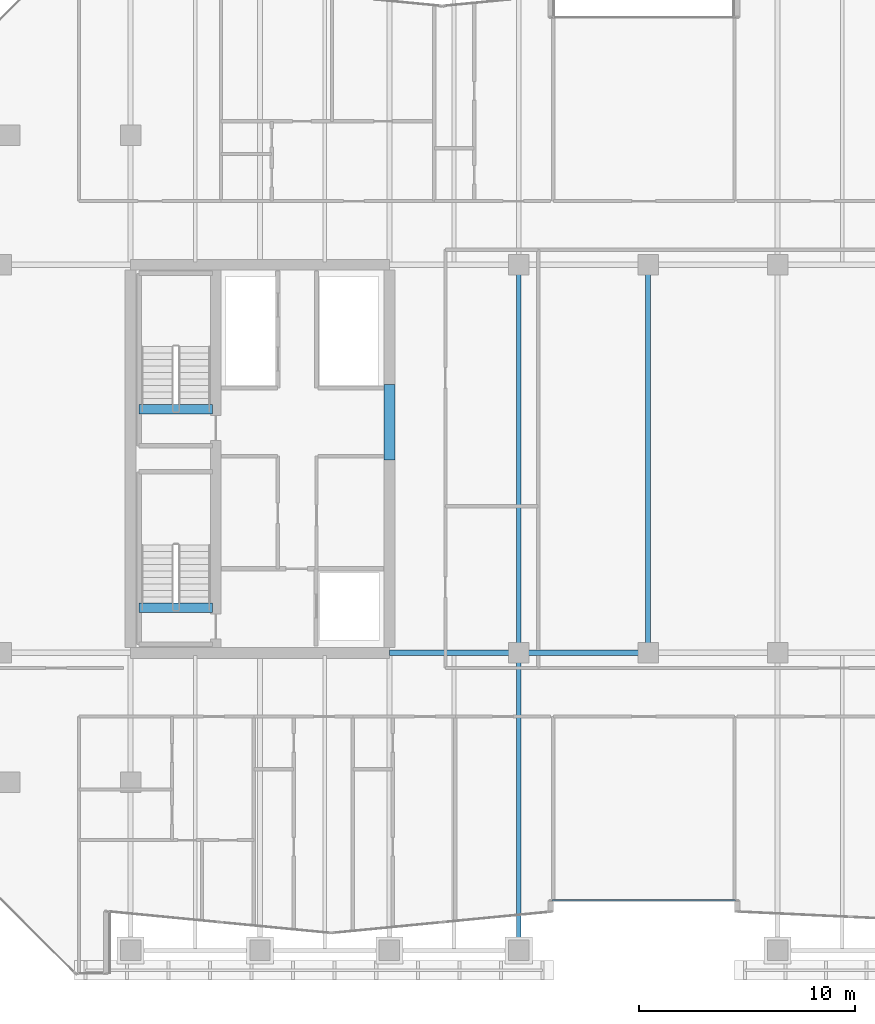
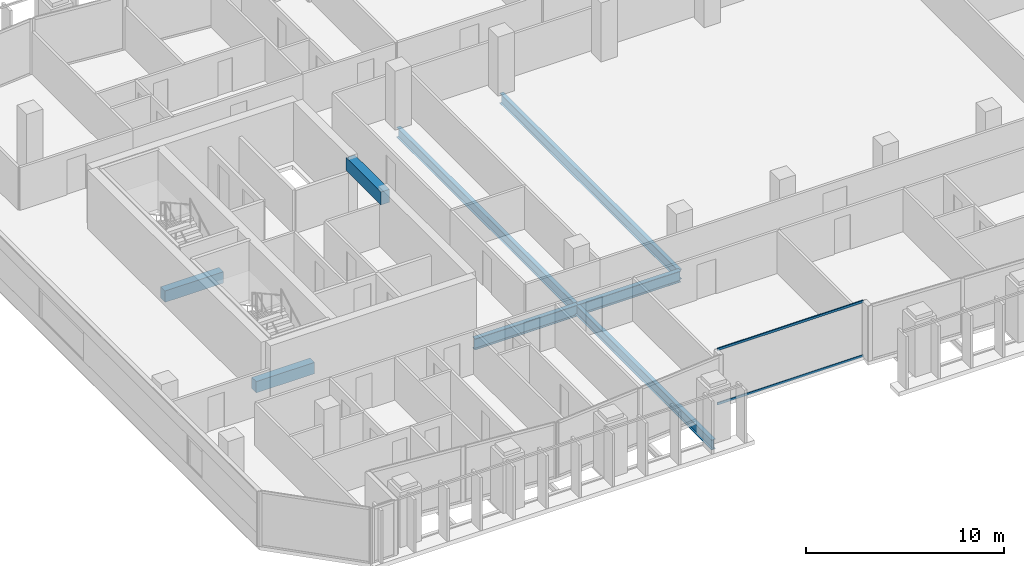
# One storey, part 6 of 39: 8 beams, 2 members, 1 element without a shape of its own.
"""IFC4 building model written with IfcOpenShell, lengths in metres."""

from ifc_helpers import new_model, si_unit, direction, frame, origin, origin_2d, place, context, subcontext, project, spatial, rectangle, hollow_rectangle, i_section, extrude, material, layer, layer_set, material_profile, profile_set, type_object, element, aggregate, save


model = new_model("IFC4")

# Units and contexts
model_context = context("Model", 3, precision=1e-05, world=origin(), true_north=direction((0.0, 1.0)))
body_context = subcontext(model_context, "Body", "Model", "MODEL_VIEW")
ifc_project = project(units=[si_unit("LENGTHUNIT", "METRE"), si_unit("AREAUNIT", "SQUARE_METRE"), si_unit("VOLUMEUNIT", "CUBIC_METRE"), si_unit("PLANEANGLEUNIT", "RADIAN"), si_unit("MASSUNIT", "GRAM", prefix="KILO")], contexts=[model_context])

# Site, building, storey
site_placement = place(None, origin())
site = spatial("IfcSite", under=ifc_project, at=site_placement, CompositionType="ELEMENT")
building_placement = place(site_placement, origin())
building = spatial("IfcBuilding", under=site, at=building_placement, Name="Tanjung Sevakor Pilgrim Tower", CompositionType="ELEMENT")
storey_placement = place(building_placement, frame((0.0, 0.0, 112.199951171875)))
storey = spatial("IfcBuildingStorey", under=building, at=storey_placement, Name="L31", CompositionType="ELEMENT", Elevation=112.199951171875)

# Beams
ifc_material_1 = material(Name="Steel S355J2", Category="steel")
ifc_material_profile_1 = material_profile(ifc_material_1, i_section(OverallWidth=0.25439453125, OverallDepth=0.6875, WebThickness=0.01318359375, FlangeThickness=0.02099609375, FilletRadius=0.01513671875, at=origin_2d()))
ifc_profile_set_1 = profile_set([ifc_material_profile_1], Name="Steel S355J2")
beam_type_1 = type_object("IfcBeamType", Name="BM-B-G2-UB_686x254x152", PredefinedType="BEAM", material=ifc_profile_set_1)
for number, where, z_axis, x_axis, name in (
    (1, (36.0, 24.60009765625, -0.563720703125), (1.0, 0.0, 0.0), (0.0, 1.0, 0.0), "L31 Primary Floor Girder MAIN Y246-02"),
    (2, (42.0, 24.60009765625, -0.563720703125), (1.0, 0.0, 0.0), (0.0, 1.0, 0.0), "L31 Primary Floor Girder MAIN Y246-03"),
):
    element("IfcBeam", number, at=place(storey_placement, frame(where, z_axis=z_axis, x_axis=x_axis)), inside=storey, type_object=beam_type_1, Name=name, PredefinedType="BEAM", context=body_context, shape_type="SweptSolid", body=[
        extrude(i_section(OverallWidth=0.25439453125, OverallDepth=0.6875, WebThickness=0.01318359375, FlangeThickness=0.02099609375, FilletRadius=0.01513671875, at=origin_2d()), origin(), (0.0, 0.0, 1.0), 6.0),
    ])
ifc_material_2 = material(Name="Steel S355J2", Category="steel")
ifc_material_profile_2 = material_profile(ifc_material_2, i_section(OverallWidth=0.230224609375, OverallDepth=0.6171875, WebThickness=0.01318359375, FlangeThickness=0.022216796875, FilletRadius=0.0126953125, at=origin_2d()))
ifc_profile_set_2 = profile_set([ifc_material_profile_2], Name="Steel S355J2")
beam_type_2 = type_object("IfcBeamType", Name="BM-B-G3-UB_610x229x140", PredefinedType="BEAM", material=ifc_profile_set_2)
beam_1_placement = place(storey_placement, frame((42.0, 10.800048828125, -0.528564453125), z_axis=(0.0, 1.0, 0.0), x_axis=(-1.0, 0.0, 0.0)))
element("IfcBeam", 3, at=beam_1_placement, inside=storey, type_object=beam_type_2, Name="L31 MAIN Girder 013", PredefinedType="BEAM", context=body_context, shape_type="SweptSolid", body=[
    extrude(i_section(OverallWidth=0.230224609375, OverallDepth=0.6171875, WebThickness=0.01318359375, FlangeThickness=0.022216796875, FilletRadius=0.0126953125, at=origin_2d()), origin(), (0.0, 0.0, 1.0), 13.800048828125),
])
for number, where, z_axis, x_axis, name in (
    (4, (42.0, 24.60009765625, -0.528564453125), (0.0, 1.0, 0.0), (-1.0, 0.0, 0.0), "L31 MAIN Girder 014"),
    (5, (48.0, 24.60009765625, -0.528564453125), (0.0, 1.0, 0.0), (-1.0, 0.0, 0.0), "L31 MAIN Girder 016"),
):
    element("IfcBeam", number, at=place(storey_placement, frame(where, z_axis=z_axis, x_axis=x_axis)), inside=storey, type_object=beam_type_2, Name=name, PredefinedType="BEAM", context=body_context, shape_type="SweptSolid", body=[
        extrude(i_section(OverallWidth=0.230224609375, OverallDepth=0.6171875, WebThickness=0.01318359375, FlangeThickness=0.022216796875, FilletRadius=0.0126953125, at=origin_2d()), origin(), (0.0, 0.0, 1.0), 18.0),
    ])
ifc_material_3 = material(Name="Concrete C60/75", Category="concrete")
ifc_material_profile_3 = material_profile(ifc_material_3, rectangle(XDim=0.5, YDim=0.800048828125, at=origin_2d()))
ifc_profile_set_3 = profile_set([ifc_material_profile_3], Name="Concrete C60/75")
beam_type_3 = type_object("IfcBeamType", Name="BM-B-LN2-RC-BM_500x800", PredefinedType="LINTEL", material=ifc_profile_set_3)
beam_2_placement = place(storey_placement, frame((36.0, 33.550048828125, 3.010009765625), z_axis=(0.0, 1.0, 0.0), x_axis=(-1.0, 0.0, 0.0)))
element("IfcBeam", 6, at=beam_2_placement, inside=storey, type_object=beam_type_3, Name="L31 W Core Coupling Lintel", PredefinedType="LINTEL", context=body_context, shape_type="SweptSolid", body=[
    extrude(rectangle(XDim=0.5, YDim=0.800048828125, at=origin_2d()), origin(), (0.0, 0.0, 1.0), 3.5),
])
ifc_material_4 = material(Name="Concrete C60/75", Category="concrete")
ifc_material_profile_4 = material_profile(ifc_material_4, rectangle(XDim=0.449951171875, YDim=0.699951171875, at=origin_2d()))
ifc_profile_set_4 = profile_set([ifc_material_profile_4], Name="Concrete C60/75")
beam_type_4 = type_object("IfcBeamType", Name="BM-B-LN3-RC-BM_450x700", PredefinedType="LINTEL", material=ifc_profile_set_4)
for number, where, z_axis, x_axis, name in (
    (7, (24.39990234375, 26.699951171875, -0.349853515625), (1.0, 0.0, 0.0), (0.0, 1.0, 0.0), "L31 TS-W1 Stair Threshold Beam"),
    (8, (24.39990234375, 35.89990234375, -0.349853515625), (1.0, 0.0, 0.0), (0.0, 1.0, 0.0), "L31 TS-W2 Stair Threshold Beam"),
):
    element("IfcBeam", number, at=place(storey_placement, frame(where, z_axis=z_axis, x_axis=x_axis)), inside=storey, type_object=beam_type_4, Name=name, PredefinedType="LINTEL", context=body_context, shape_type="SweptSolid", body=[
        extrude(rectangle(XDim=0.449951171875, YDim=0.699951171875, at=origin_2d()), origin(), (0.0, 0.0, 1.0), 3.400146484375),
    ])

# Curtain wall, members
ifc_material_5 = material(Name="Aluminium 6063-T6 and Low-E Glass", Category="aluminium")
ifc_layer = layer(ifc_material_5, 0.179931640625)
ifc_layer_set = layer_set([ifc_layer], Name="CW-SYS-CLEFT")
curtain_wall_type = type_object("IfcCurtainWallType", Name="CW-SYS-CLEFT", PredefinedType="NOTDEFINED", material=ifc_layer_set)
curtain_wall_placement = place(storey_placement, origin())
curtain_wall = element("IfcCurtainWall", 9, at=curtain_wall_placement, inside=storey, type_object=curtain_wall_type, Name="L31 Curtain Wall CW-CLF-L31-7", PredefinedType="NOTDEFINED")
ifc_material_6 = material(Name="Aluminium 6063-T6", Category="aluminium")
ifc_material_profile_5 = material_profile(ifc_material_6, hollow_rectangle(XDim=0.06494140625, YDim=0.139892578125, WallThickness=0.00390625, at=origin_2d()))
ifc_profile_set_5 = profile_set([ifc_material_profile_5], Name="Aluminium 6063-T6")
member_type = type_object("IfcMemberType", Name="TYPE-CWT-1", PredefinedType="USERDEFINED", material=ifc_profile_set_5)
member_1_placement = place(storey_placement, frame((43.550048828125, 13.125, 0.032470703125), z_axis=(1.0, 0.0, 0.0), x_axis=(0.0, 1.0, 0.0)))
member_1 = element("IfcMember", 10, at=member_1_placement, type_object=member_type, Name="CW-CLF transom 1.1", ObjectType="TRANSOM", PredefinedType="USERDEFINED", context=body_context, shape_type="SweptSolid", body=[
    extrude(hollow_rectangle(XDim=0.06494140625, YDim=0.139892578125, WallThickness=0.00390625, at=origin_2d()), origin(), (0.0, 0.0, 1.0), 8.5),
])
member_2_placement = place(storey_placement, frame((43.550048828125, 13.125, 3.37744140625), z_axis=(1.0, 0.0, 0.0), x_axis=(0.0, 1.0, 0.0)))
member_2 = element("IfcMember", 11, at=member_2_placement, type_object=member_type, Name="CW-CLF transom 1.2", ObjectType="TRANSOM", PredefinedType="USERDEFINED", context=body_context, shape_type="SweptSolid", body=[
    extrude(hollow_rectangle(XDim=0.06494140625, YDim=0.139892578125, WallThickness=0.00390625, at=origin_2d()), origin(), (0.0, 0.0, 1.0), 8.5),
])
aggregate(curtain_wall, [member_1, member_2])

save(model, "model.ifc")
